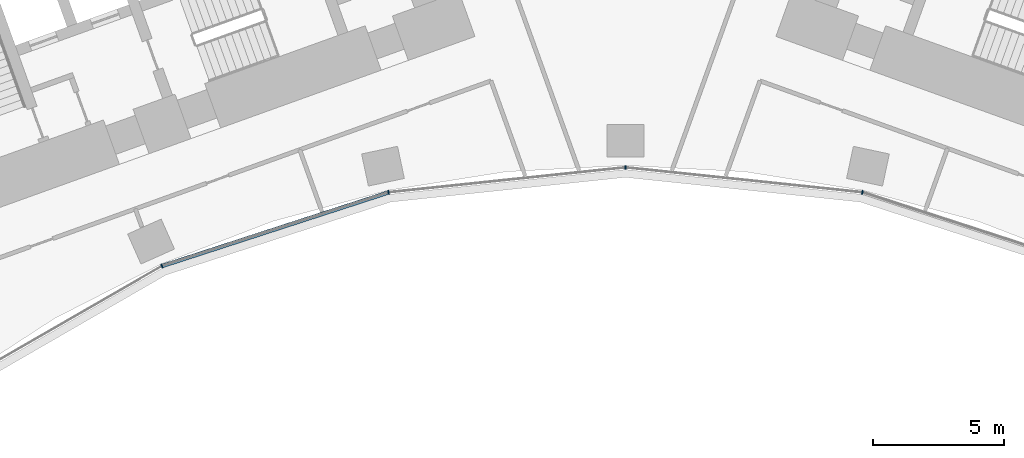
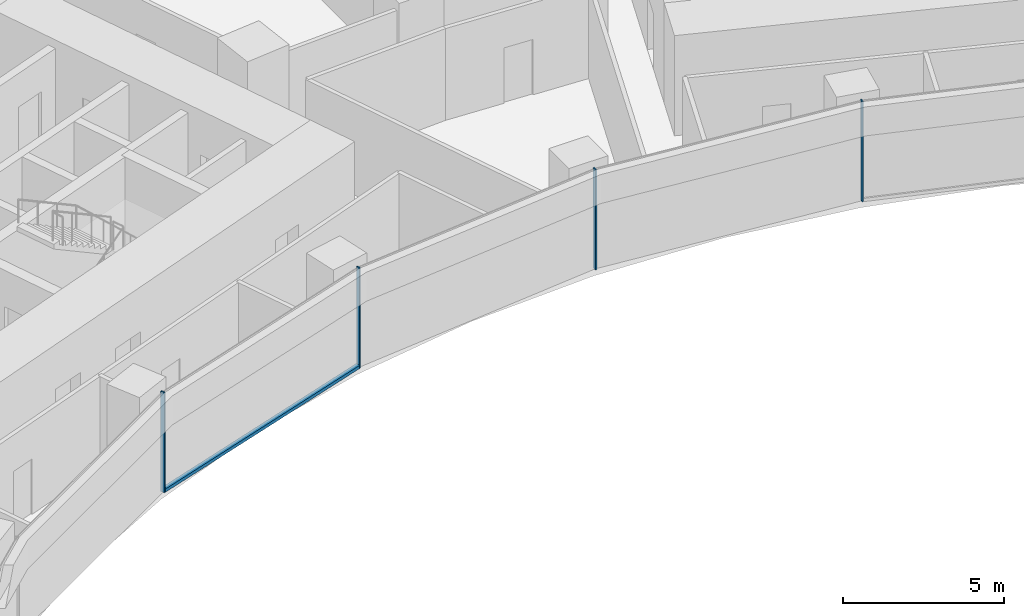
# One storey, part 5 of 21: 5 members, 1 element without a shape of its own.
"""IFC4 building model written with IfcOpenShell, lengths in metres."""

import ifcopenshell
import ifcopenshell.guid

model = None  # the IFC model being written
_history = None  # IfcOwnerHistory: only IFC2X3 demands one
_inside = {}  # id of a spatial element -> (the spatial element, [elements in it])
_under = {}  # id of a project, library or spatial element -> (it, [spatial elements below it])
_declared = {}  # id of a project -> (the project, [libraries it declares])
_typed = {}  # id of a type object -> (the type object, [elements of that type])
_made_of = {}  # id of a material, layer set ... -> (it, [elements and type objects made of it])


def new_model(schema):
    """Start an empty IFC model of exactly this schema.

    Asked for "IFC4X3", IfcOpenShell would pick the latest addendum, in which some entities
    have other attributes; the version numbers below select the first issue.
    IFC2X3 requires an IfcOwnerHistory on every rooted entity: one is made here for all.
    """
    global model, _history
    if schema == "IFC4X3":
        model = ifcopenshell.file(schema_version=(4, 3, 0, 0))
    else:
        model = ifcopenshell.file(schema=schema)
    _inside.clear()
    _under.clear()
    _declared.clear()
    _typed.clear()
    _made_of.clear()
    _history = None
    if model.schema == "IFC2X3":
        org = make("IfcOrganization", Name="unknown")
        user = make(
            "IfcPersonAndOrganization",
            ThePerson=make("IfcPerson", FamilyName="unknown"),
            TheOrganization=org,
        )
        app = make(
            "IfcApplication",
            ApplicationDeveloper=org,
            Version="unknown",
            ApplicationFullName="unknown",
            ApplicationIdentifier="unknown",
        )
        _history = make(
            "IfcOwnerHistory",
            OwningUser=user,
            OwningApplication=app,
            ChangeAction="ADDED",
            CreationDate=0,
        )
    return model


def make(cls, **values):
    """One entity of the class cls with the attributes given. An attribute that is None is left unset."""
    return model.create_entity(
        cls, **{name: value for name, value in values.items() if value is not None}
    )


def rooted(cls, **values):
    """An entity with a GlobalId (a new one), such as an element, a storey or a relation."""
    return make(cls, GlobalId=ifcopenshell.guid.new(), OwnerHistory=_history, **values)


def si_unit(unit_type, name, prefix=None):
    """IfcSIUnit, for example si_unit("LENGTHUNIT", "METRE", prefix="MILLI")."""
    return make("IfcSIUnit", UnitType=unit_type, Prefix=prefix, Name=name)


def assignment(units):
    """IfcUnitAssignment: the units of a project."""
    return None if units is None else make("IfcUnitAssignment", Units=units)


def point(xyz):
    """IfcCartesianPoint."""
    return None if xyz is None else make("IfcCartesianPoint", Coordinates=xyz)


def direction(xyz):
    """IfcDirection."""
    return None if xyz is None else make("IfcDirection", DirectionRatios=xyz)


def frame(location, z_axis=None, x_axis=None):
    """IfcAxis2Placement3D, a coordinate frame: its origin and axes. An axis left out is left unset."""
    return make(
        "IfcAxis2Placement3D",
        Location=point(location),
        Axis=direction(z_axis),
        RefDirection=direction(x_axis),
    )


def frame_2d(location, x_axis=None):
    """IfcAxis2Placement2D, a coordinate frame in the plane: its origin and x axis."""
    return make(
        "IfcAxis2Placement2D", Location=point(location), RefDirection=direction(x_axis)
    )


def origin():
    """The frame at (0, 0, 0) with its axes left unset."""
    return frame((0.0, 0.0, 0.0))


def origin_2d():
    """The frame at (0, 0) in the plane with its x axis left unset."""
    return frame_2d((0.0, 0.0))


def place(relative_to, where):
    """IfcLocalPlacement: puts the frame where relative to a parent placement (None: the world)."""
    return make(
        "IfcLocalPlacement", PlacementRelTo=relative_to, RelativePlacement=where
    )


def context(
    kind, dimensions, precision=None, world=None, true_north=None, identifier=None
):
    """IfcGeometricRepresentationContext, for example the 3D "Model" context."""
    return make(
        "IfcGeometricRepresentationContext",
        ContextIdentifier=identifier,
        ContextType=kind,
        CoordinateSpaceDimension=dimensions,
        Precision=precision,
        WorldCoordinateSystem=world,
        TrueNorth=true_north,
    )


def subcontext(parent, identifier, kind, view, scale=None):
    """IfcGeometricRepresentationSubContext, for example "Body" below "Model"."""
    return make(
        "IfcGeometricRepresentationSubContext",
        ContextIdentifier=identifier,
        ContextType=kind,
        ParentContext=parent,
        TargetScale=scale,
        TargetView=view,
    )


def project(units=None, contexts=None):
    """IfcProject with its units and contexts."""
    return rooted(
        "IfcProject",
        Name="project",
        RepresentationContexts=contexts,
        UnitsInContext=assignment(units),
    )


def spatial(cls, under=None, at=None, **own):
    """A site, building, storey or space (cls), placed at a placement, below another one or the project."""
    s = rooted(cls, ObjectPlacement=at, **own)
    if under is not None:
        _under.setdefault(under.id(), (under, []))[1].append(s)
    return s


def profile(cls, at=None, kind="AREA", **sizes):
    """A parametric profile (cls). Its sizes go by their IFC names, for example OverallWidth=200.0."""
    return make(cls, ProfileType=kind, Position=at, **sizes)


def rectangle(**sizes):
    """IfcRectangleProfileDef."""
    return profile("IfcRectangleProfileDef", **sizes)


def extrude(swept, where, along, depth):
    """IfcExtrudedAreaSolid: the profile swept, set in the frame where, extruded along a direction by depth."""
    return make(
        "IfcExtrudedAreaSolid",
        SweptArea=swept,
        Position=where,
        ExtrudedDirection=direction(along),
        Depth=depth,
    )


def shape(context_of_items, identifier, shape_type, items):
    """IfcShapeRepresentation: the items that make up one representation, for example the "Body"."""
    return make(
        "IfcShapeRepresentation",
        ContextOfItems=context_of_items,
        RepresentationIdentifier=identifier,
        RepresentationType=shape_type,
        Items=items,
    )


def material(Name=None, Category=None):
    """IfcMaterial."""
    return make("IfcMaterial", Name=Name, Category=Category)


def layer(
    of_material, thickness, ventilated=None, Name=None, Category=None, Priority=None
):
    """IfcMaterialLayer: one layer of a wall or slab, of a material (None: an air gap)."""
    return make(
        "IfcMaterialLayer",
        Material=of_material,
        LayerThickness=thickness,
        IsVentilated=ventilated,
        Name=Name,
        Category=Category,
        Priority=Priority,
    )


def layer_set(layers, Name=None):
    """IfcMaterialLayerSet."""
    return make("IfcMaterialLayerSet", MaterialLayers=layers, LayerSetName=Name)


def material_profile(
    of_material, cross_section, Name=None, Category=None, Priority=None
):
    """IfcMaterialProfile: a cross section and its material."""
    return make(
        "IfcMaterialProfile",
        Name=Name,
        Material=of_material,
        Profile=cross_section,
        Priority=Priority,
        Category=Category,
    )


def profile_set(profiles, Name=None, composite=None):
    """IfcMaterialProfileSet."""
    return make(
        "IfcMaterialProfileSet",
        Name=Name,
        MaterialProfiles=profiles,
        CompositeProfile=composite,
    )


def made_of(thing, what):
    """Note that an element or type object is made of a material, layer set ...; save() writes the relation."""
    if what is not None:
        _made_of.setdefault(what.id(), (what, []))[1].append(thing)
    return thing


def type_object(cls, material=None, **own):
    """A type object (cls), such as IfcWallType, which elements share."""
    return made_of(rooted(cls, **own), material)


def element(
    cls,
    number,
    at=None,
    inside=None,
    cuts=None,
    type_object=None,
    material=None,
    context=None,
    identifier="Body",
    shape_type=None,
    held_by="IfcProductDefinitionShape",
    body=None,
    shapes=None,
    **own,
):
    """One element of the class cls, such as IfcWall. Its Tag is "e" and its number.

    at: its placement. inside: the storey or other place that contains it. cuts: it is an
    opening in that element (IfcRelVoidsElement). A single representation is given by context,
    identifier, shape_type and body (its items); several are given by shapes. held_by: the class
    of the entity that holds the representations. save() writes the other relations.
    """
    e = rooted(cls, Tag="e%d" % number, ObjectPlacement=at, **own)
    if body is not None:
        shapes = [shape(context, identifier, shape_type, body)]
    if shapes is not None:
        e.Representation = make(held_by, Representations=shapes)
    if inside is not None:
        _inside.setdefault(inside.id(), (inside, []))[1].append(e)
    if cuts is not None:
        rooted(
            "IfcRelVoidsElement", RelatingBuildingElement=cuts, RelatedOpeningElement=e
        )
    if type_object is not None:
        _typed.setdefault(type_object.id(), (type_object, []))[1].append(e)
    return made_of(e, material)


def aggregate(whole, parts):
    """IfcRelAggregates: a whole, such as a stair, and the parts it consists of."""
    return rooted("IfcRelAggregates", RelatingObject=whole, RelatedObjects=parts)


def save(model, path):
    """Write the relations noted so far, then the file.

    IfcRelAggregates (storeys below a building ...), IfcRelContainedInSpatialStructure (elements
    in a storey), IfcRelDefinesByType, IfcRelAssociatesMaterial and IfcRelDeclares: one each for
    every whole, place, type object, material and project.
    """
    for whole, parts in _under.values():
        aggregate(whole, parts)
    for where, things in _inside.values():
        rooted(
            "IfcRelContainedInSpatialStructure",
            RelatedElements=things,
            RelatingStructure=where,
        )
    for kind, things in _typed.values():
        rooted("IfcRelDefinesByType", RelatedObjects=things, RelatingType=kind)
    for what, things in _made_of.values():
        rooted("IfcRelAssociatesMaterial", RelatedObjects=things, RelatingMaterial=what)
    for by, libraries in _declared.values():
        rooted("IfcRelDeclares", RelatingContext=by, RelatedDefinitions=libraries)
    model.write(path)


model = new_model("IFC4")

# Units and contexts
model_context = context("Model", 3, precision=1e-05, world=origin(), true_north=direction((0.0, 1.0)))
body_context = subcontext(model_context, "Body", "Model", "MODEL_VIEW")
ifc_project = project(units=[si_unit("LENGTHUNIT", "METRE"), si_unit("AREAUNIT", "SQUARE_METRE"), si_unit("VOLUMEUNIT", "CUBIC_METRE"), si_unit("PLANEANGLEUNIT", "RADIAN"), si_unit("MASSUNIT", "GRAM", prefix="KILO")], contexts=[model_context])

# Site, building, storey
site_placement = place(None, origin())
site = spatial("IfcSite", under=ifc_project, at=site_placement, CompositionType="ELEMENT")
building_placement = place(site_placement, origin())
building = spatial("IfcBuilding", under=site, at=building_placement, Name="Stone Belt Terrace Tower", CompositionType="ELEMENT")
storey_placement = place(building_placement, frame((0.0, 0.0, 45.199951171875)))
storey = spatial("IfcBuildingStorey", under=building, at=storey_placement, Name="L10", CompositionType="ELEMENT", Elevation=45.199951171875)

# Curtain wall, members
ifc_material = material(Name="Aluminium 6063-T6 anodised frame", Category="aluminium")
ifc_layer = layer(ifc_material, 0.14990234375)
ifc_layer_set = layer_set([ifc_layer], Name="CW-B unitised concave-face curtain wall")
curtain_wall_type = type_object("IfcCurtainWallType", Name="CW-B unitised concave-face curtain wall", PredefinedType="NOTDEFINED", material=ifc_layer_set)
curtain_wall_placement = place(storey_placement, origin())
curtain_wall = element("IfcCurtainWall", 1, at=curtain_wall_placement, inside=storey, type_object=curtain_wall_type, Name="CW-B concave face L10", PredefinedType="NOTDEFINED")
ifc_material_profile_1 = material_profile(ifc_material, rectangle(XDim=0.14990234375, YDim=0.050048828125, at=origin_2d()), Name="Aluminium 6063-T6 50x150")
ifc_profile_set_1 = profile_set([ifc_material_profile_1], Name="Aluminium 6063-T6 anodised frame")
member_type_1 = type_object("IfcMemberType", Name="CW-B mullion 50 x 150", PredefinedType="MULLION", material=ifc_profile_set_1)
member_1_placement = place(storey_placement, frame((-17.662353515625, 39.67041015625, 0.0), z_axis=(0.0, 0.0, 1.0), x_axis=(-0.406736643076, 0.913545457643, 0.0)))
member_1 = element("IfcMember", 2, at=member_1_placement, type_object=member_type_1, Name="CW-B mullion 4", PredefinedType="MULLION", context=body_context, shape_type="SweptSolid", body=[
    extrude(rectangle(XDim=0.14990234375, YDim=0.050048828125, at=origin_2d()), origin(), (0.0, 0.0, 1.0), 3.800048828125),
])
member_2_placement = place(storey_placement, frame((-9.028564453125, 42.4755859375, 0.0), z_axis=(0.0, 0.0, 1.0), x_axis=(-0.207911690818, 0.978147600734, 0.0)))
member_2 = element("IfcMember", 3, at=member_2_placement, type_object=member_type_1, Name="CW-B mullion 5", PredefinedType="MULLION", context=body_context, shape_type="SweptSolid", body=[
    extrude(rectangle(XDim=0.14990234375, YDim=0.050048828125, at=origin_2d()), origin(), (0.0, 0.0, 1.0), 3.800048828125),
])
member_3_placement = place(storey_placement, frame((0.0, 43.424560546875, 0.0), z_axis=(0.0, 0.0, 1.0), x_axis=(0.0, 1.0, 0.0)))
member_3 = element("IfcMember", 4, at=member_3_placement, type_object=member_type_1, Name="CW-B mullion 6", PredefinedType="MULLION", context=body_context, shape_type="SweptSolid", body=[
    extrude(rectangle(XDim=0.14990234375, YDim=0.050048828125, at=origin_2d()), origin(), (0.0, 0.0, 1.0), 3.800048828125),
])
member_4_placement = place(storey_placement, frame((9.028564453125, 42.4755859375, 0.0), z_axis=(0.0, 0.0, 1.0), x_axis=(0.207911690818, 0.978147600734, 0.0)))
member_4 = element("IfcMember", 5, at=member_4_placement, type_object=member_type_1, Name="CW-B mullion 7", PredefinedType="MULLION", context=body_context, shape_type="SweptSolid", body=[
    extrude(rectangle(XDim=0.14990234375, YDim=0.050048828125, at=origin_2d()), origin(), (0.0, 0.0, 1.0), 3.800048828125),
])
ifc_material_profile_2 = material_profile(ifc_material, rectangle(XDim=0.14990234375, YDim=0.1201171875, at=origin_2d()), Name="Aluminium 6063-T6 150x120")
ifc_profile_set_2 = profile_set([ifc_material_profile_2], Name="Aluminium 6063-T6 anodised frame")
member_type_2 = type_object("IfcMemberType", Name="CW-B transom 120 x 150", PredefinedType="USERDEFINED", material=ifc_profile_set_2)
member_5_placement = place(storey_placement, frame((-17.63134765625, 39.680419921875, 0.06005859375), z_axis=(0.951055963285, 0.309018696359, 0.0), x_axis=(-0.309018696359, 0.951055963285, 0.0)))
member_5 = element("IfcMember", 6, at=member_5_placement, type_object=member_type_2, Name="CW-B transom 4.1", ObjectType="TRANSOM", PredefinedType="USERDEFINED", context=body_context, shape_type="SweptSolid", body=[
    extrude(rectangle(XDim=0.14990234375, YDim=0.1201171875, at=origin_2d()), origin(), (0.0, 0.0, 1.0), 9.012939453125),
])
aggregate(curtain_wall, [member_1, member_2, member_3, member_4, member_5])

save(model, "model.ifc")
